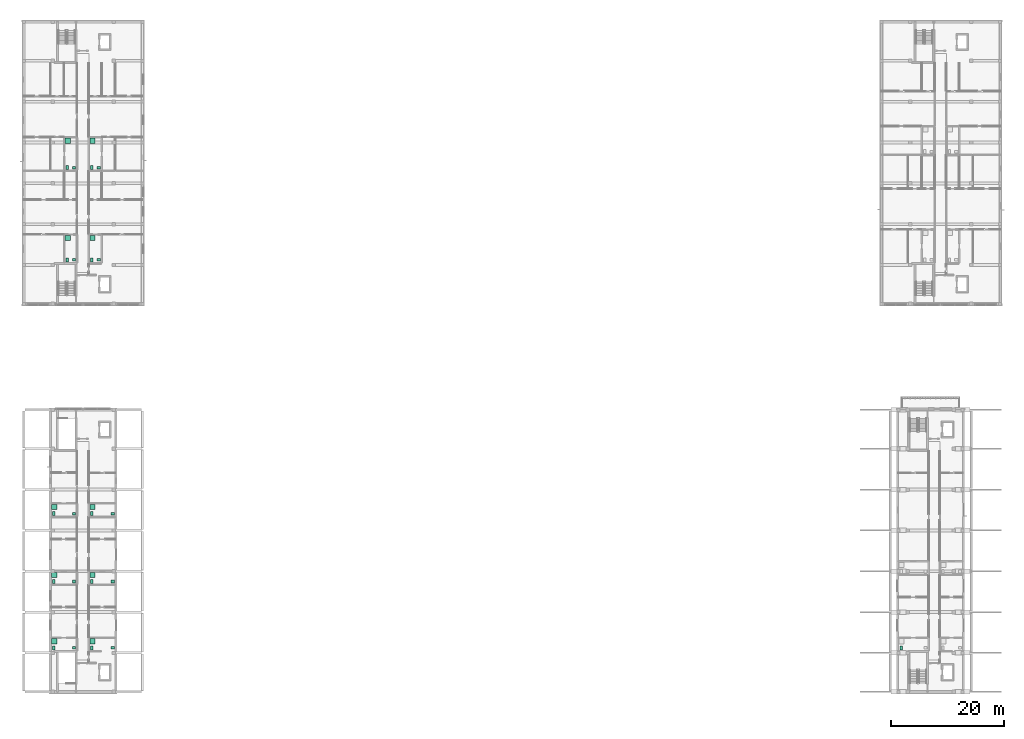
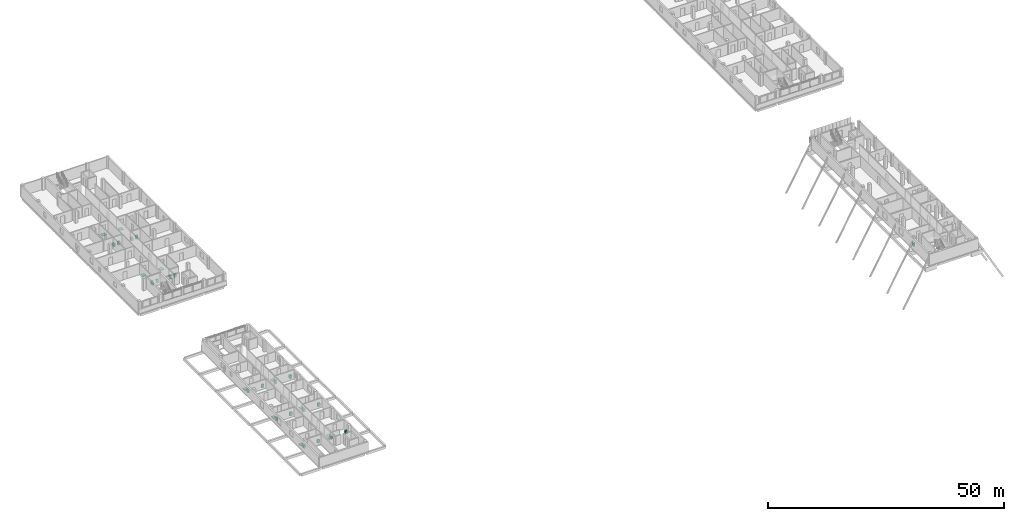
# One storey, part 33 of 34: 31 sanitary terminals.
"""IFC4 building model written with IfcOpenShell, lengths in metres."""

from ifc_helpers import new_model, si_unit, derived_unit, direction, frame, origin, origin_2d, place, context, subcontext, project, spatial, rectangle, extrude, material, type_object, element, save


model = new_model("IFC4")

# Units and contexts
model_context = context("Model", 3, precision=1e-05, world=origin(), true_north=direction((0.0, 1.0)))
body_context = subcontext(model_context, "Body", "Model", "MODEL_VIEW")
ifc_project = project(units=[si_unit("LENGTHUNIT", "METRE"), si_unit("AREAUNIT", "SQUARE_METRE"), si_unit("VOLUMEUNIT", "CUBIC_METRE"), si_unit("PLANEANGLEUNIT", "RADIAN"), si_unit("MASSUNIT", "GRAM", prefix="KILO"), derived_unit("THERMALTRANSMITTANCEUNIT", [(si_unit("MASSUNIT", "GRAM", prefix="KILO"), 1), (si_unit("TIMEUNIT", "SECOND"), -3), (si_unit("THERMODYNAMICTEMPERATUREUNIT", "KELVIN"), -1)])], contexts=[model_context])

# Site, building, storey
site_placement = place(None, origin())
site = spatial("IfcSite", under=ifc_project, at=site_placement, CompositionType="ELEMENT")
building_placement = place(site_placement, origin())
building = spatial("IfcBuilding", under=site, at=building_placement, Name="Ochrekiln Boulevard Commons", CompositionType="ELEMENT")
storey_placement = place(building_placement, frame((0.0, 0.0, 27.824951171875)))
storey = spatial("IfcBuildingStorey", under=building, at=storey_placement, Name="L08", CompositionType="ELEMENT", Elevation=27.824951171875)

# Sanitary terminals
ifc_material = material(Name="Vitreous china sanitaryware")
sanitary_terminal_type_1 = type_object("IfcSanitaryTerminalType", Name="SAN-BAS", PredefinedType="WASHHANDBASIN", material=ifc_material)
for number, where, z_axis, x_axis, name in (
    (1, (9.169921875, 76.5, 0.0), (0.0, 0.0, 1.0), (1.0, 0.0, 0.0), "L08 Washhand Basin Fixture"),
    (2, (9.169921875, 92.781982421875, 0.0), (0.0, 0.0, 1.0), (1.0, 0.0, 0.0), "L08 Washhand Basin Fixture"),
    (3, (13.530029296875, 76.5, 0.0), (0.0, 0.0, 1.0), (1.0, 0.0, 0.0), "L08 Washhand Basin Fixture"),
    (4, (13.530029296875, 92.781982421875, 0.0), (0.0, 0.0, 1.0), (1.0, 0.0, 0.0), "L08 Washhand Basin Fixture"),
    (5, (9.169921875, 8.10009765625, 0.0), (0.0, 0.0, 1.0), (1.0, 0.0, 0.0), "L08 Washhand Basin Fixture"),
    (6, (9.169921875, 19.805908203125, 0.0), (0.0, 0.0, 1.0), (1.0, 0.0, 0.0), "L08 Washhand Basin Fixture"),
    (7, (9.169921875, 31.77392578125, 0.0), (0.0, 0.0, 1.0), (1.0, 0.0, 0.0), "L08 Washhand Basin Fixture"),
    (8, (16.0, 8.10009765625, 0.0), (0.0, 0.0, 1.0), (1.0, 0.0, 0.0), "L08 Washhand Basin Fixture"),
    (9, (16.0, 19.805908203125, 0.0), (0.0, 0.0, 1.0), (1.0, 0.0, 0.0), "L08 Washhand Basin Fixture"),
    (10, (16.0, 31.77392578125, 0.0), (0.0, 0.0, 1.0), (1.0, 0.0, 0.0), "L08 Washhand Basin Fixture"),
):
    element("IfcSanitaryTerminal", number, at=place(storey_placement, frame(where, z_axis=z_axis, x_axis=x_axis)), inside=storey, type_object=sanitary_terminal_type_1, Name=name, PredefinedType="WASHHANDBASIN", context=body_context, shape_type="SweptSolid", body=[
        extrude(rectangle(XDim=0.550048828125, YDim=0.4599609375, at=origin_2d()), origin(), (0.0, 0.0, 1.0), 0.840087890625),
    ])
sanitary_terminal_type_2 = type_object("IfcSanitaryTerminalType", Name="SAN-SHW", PredefinedType="SHOWER", material=ifc_material)
for number, where, z_axis, x_axis, name in (
    (11, (8.070068359375, 80.362060546875, 0.0), (0.0, 0.0, 1.0), (1.0, 0.0, 0.0), "L08 Shower Receptor"),
    (12, (8.070068359375, 97.51708984375, 0.0), (0.0, 0.0, 1.0), (1.0, 0.0, 0.0), "L08 Shower Receptor"),
    (13, (12.429931640625, 80.362060546875, 0.0), (0.0, 0.0, 1.0), (1.0, 0.0, 0.0), "L08 Shower Receptor"),
    (14, (12.429931640625, 97.51708984375, 0.0), (0.0, 0.0, 1.0), (1.0, 0.0, 0.0), "L08 Shower Receptor"),
    (15, (5.699951171875, 9.27001953125, 0.0), (0.0, 0.0, 1.0), (1.0, 0.0, 0.0), "L08 Shower Receptor"),
    (16, (5.699951171875, 20.97607421875, 0.0), (0.0, 0.0, 1.0), (1.0, 0.0, 0.0), "L08 Shower Receptor"),
    (17, (5.699951171875, 32.944091796875, 0.0), (0.0, 0.0, 1.0), (1.0, 0.0, 0.0), "L08 Shower Receptor"),
    (18, (12.429931640625, 9.27001953125, 0.0), (0.0, 0.0, 1.0), (1.0, 0.0, 0.0), "L08 Shower Receptor"),
    (19, (12.429931640625, 20.97607421875, 0.0), (0.0, 0.0, 1.0), (1.0, 0.0, 0.0), "L08 Shower Receptor"),
    (20, (12.429931640625, 32.944091796875, 0.0), (0.0, 0.0, 1.0), (1.0, 0.0, 0.0), "L08 Shower Receptor"),
):
    element("IfcSanitaryTerminal", number, at=place(storey_placement, frame(where, z_axis=z_axis, x_axis=x_axis)), inside=storey, type_object=sanitary_terminal_type_2, Name=name, PredefinedType="SHOWER", context=body_context, shape_type="SweptSolid", body=[
        extrude(rectangle(XDim=0.89990234375, YDim=0.89990234375, at=origin_2d()), origin(), (0.0, 0.0, 1.0), 0.1201171875),
    ])
sanitary_terminal_type_3 = type_object("IfcSanitaryTerminalType", Name="SAN-WC", PredefinedType="TOILETPAN", material=ifc_material)
for number, where, z_axis, x_axis, name in (
    (21, (7.969970703125, 76.5, 0.0), (0.0, 0.0, 1.0), (1.0, 0.0, 0.0), "L08 Water Closet Fixture"),
    (22, (7.969970703125, 92.781982421875, 0.0), (0.0, 0.0, 1.0), (1.0, 0.0, 0.0), "L08 Water Closet Fixture"),
    (23, (12.330078125, 76.5, 0.0), (0.0, 0.0, 1.0), (1.0, 0.0, 0.0), "L08 Water Closet Fixture"),
    (24, (12.330078125, 92.781982421875, 0.0), (0.0, 0.0, 1.0), (1.0, 0.0, 0.0), "L08 Water Closet Fixture"),
    (25, (155.0, 8.10009765625, 0.0), (0.0, 0.0, 1.0), (1.0, 0.0, 0.0), "L08 Water Closet Fixture"),
    (26, (5.60009765625, 8.10009765625, 0.0), (0.0, 0.0, 1.0), (1.0, 0.0, 0.0), "L08 Water Closet Fixture"),
    (27, (5.60009765625, 19.805908203125, 0.0), (0.0, 0.0, 1.0), (1.0, 0.0, 0.0), "L08 Water Closet Fixture"),
    (28, (5.60009765625, 31.77392578125, 0.0), (0.0, 0.0, 1.0), (1.0, 0.0, 0.0), "L08 Water Closet Fixture"),
    (29, (12.330078125, 8.10009765625, 0.0), (0.0, 0.0, 1.0), (1.0, 0.0, 0.0), "L08 Water Closet Fixture"),
    (30, (12.330078125, 19.805908203125, 0.0), (0.0, 0.0, 1.0), (1.0, 0.0, 0.0), "L08 Water Closet Fixture"),
    (31, (12.330078125, 31.77392578125, 0.0), (0.0, 0.0, 1.0), (1.0, 0.0, 0.0), "L08 Water Closet Fixture"),
):
    element("IfcSanitaryTerminal", number, at=place(storey_placement, frame(where, z_axis=z_axis, x_axis=x_axis)), inside=storey, type_object=sanitary_terminal_type_3, Name=name, PredefinedType="TOILETPAN", context=body_context, shape_type="SweptSolid", body=[
        extrude(rectangle(XDim=0.419921875, YDim=0.679931640625, at=origin_2d()), origin(), (0.0, 0.0, 1.0), 0.780029296875),
    ])

save(model, "model.ifc")
